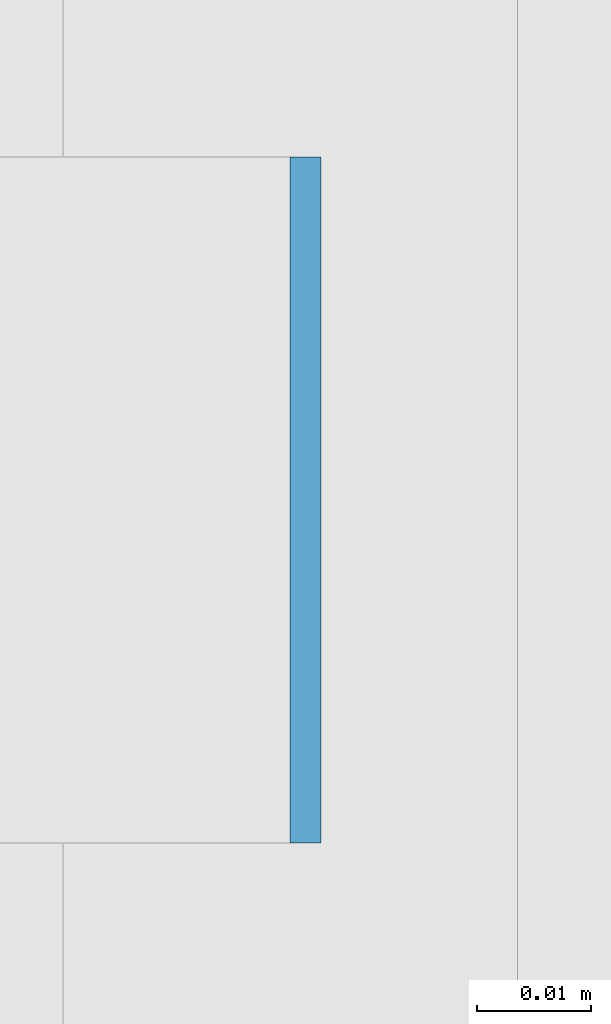
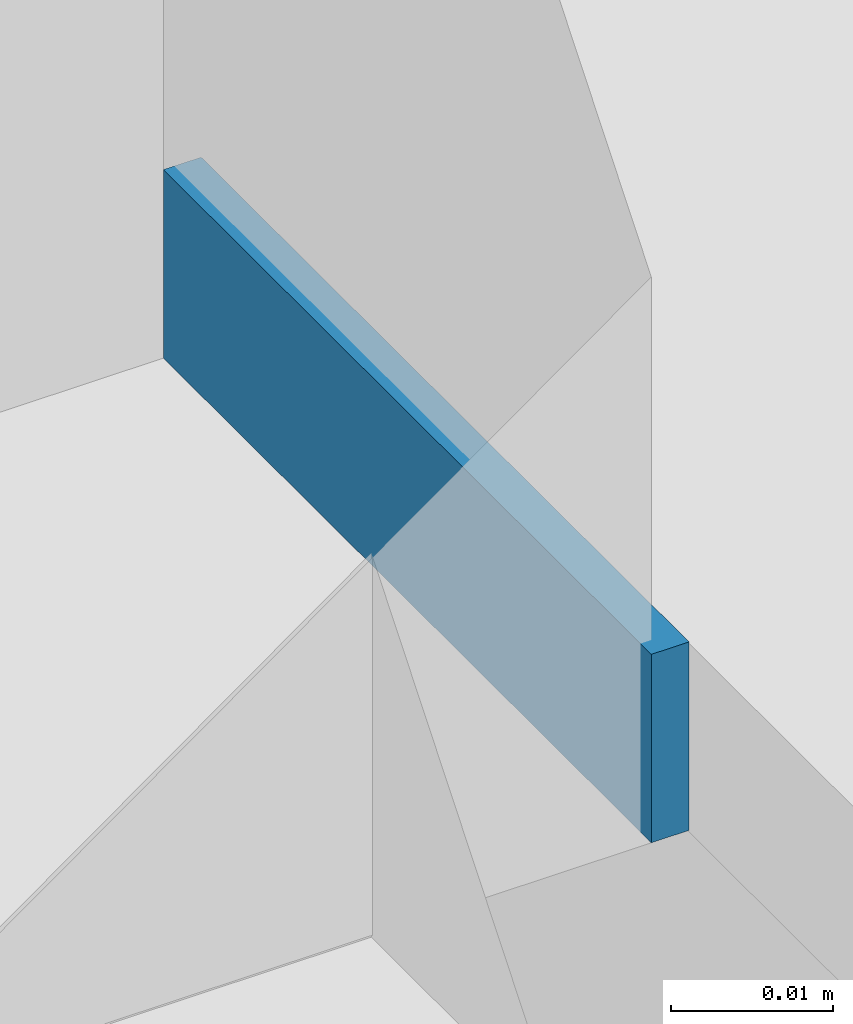
# One storey, part 288 of 646: 1 discrete accessory.
"""IFC4 building model written with IfcOpenShell, lengths in metres."""

from ifc_helpers import new_model, si_unit, direction, frame, origin, origin_2d, place, context, subcontext, project, spatial, rectangle, extrude, material, type_object, element, save


model = new_model("IFC4")

# Units and contexts
model_context = context("Model", 3, precision=1e-05, world=origin(), true_north=direction((0.0, 1.0)))
body_context = subcontext(model_context, "Body", "Model", "MODEL_VIEW")
ifc_project = project(units=[si_unit("LENGTHUNIT", "METRE"), si_unit("AREAUNIT", "SQUARE_METRE"), si_unit("VOLUMEUNIT", "CUBIC_METRE"), si_unit("PLANEANGLEUNIT", "RADIAN"), si_unit("MASSUNIT", "GRAM", prefix="KILO")], contexts=[model_context])

# Site, building, storey
site_placement = place(None, origin())
site = spatial("IfcSite", under=ifc_project, at=site_placement, CompositionType="ELEMENT")
building_placement = place(site_placement, origin())
building = spatial("IfcBuilding", under=site, at=building_placement, Name="Silverbay Arena", CompositionType="ELEMENT")
storey_placement = place(building_placement, frame((0.0, 0.0, 33.5)))
storey = spatial("IfcBuildingStorey", under=building, at=storey_placement, Name="L05", CompositionType="ELEMENT", Elevation=33.5)

# Discrete accessory
ifc_material = material(Name="Steel S355", Category="steel")
discrete_accessory_type = type_object("IfcDiscreteAccessoryType", Name="Steel bracket plate", PredefinedType="BRACKET", material=ifc_material)
discrete_accessory_placement = place(storey_placement, frame((53.871337890625, 55.28564453125, 4.0), z_axis=(0.0, 0.0, 1.0), x_axis=(1.0, 0.0, 0.0)))
element("IfcDiscreteAccessory", 1, at=discrete_accessory_placement, inside=storey, type_object=discrete_accessory_type, Name="Curtain wall packing plate", PredefinedType="BRACKET", context=body_context, shape_type="SweptSolid", body=[
    extrude(rectangle(XDim=0.002685546875, YDim=0.06005859375, at=origin_2d()), origin(), (0.0, 0.0, 1.0), 0.01416015625),
])

save(model, "model.ifc")
